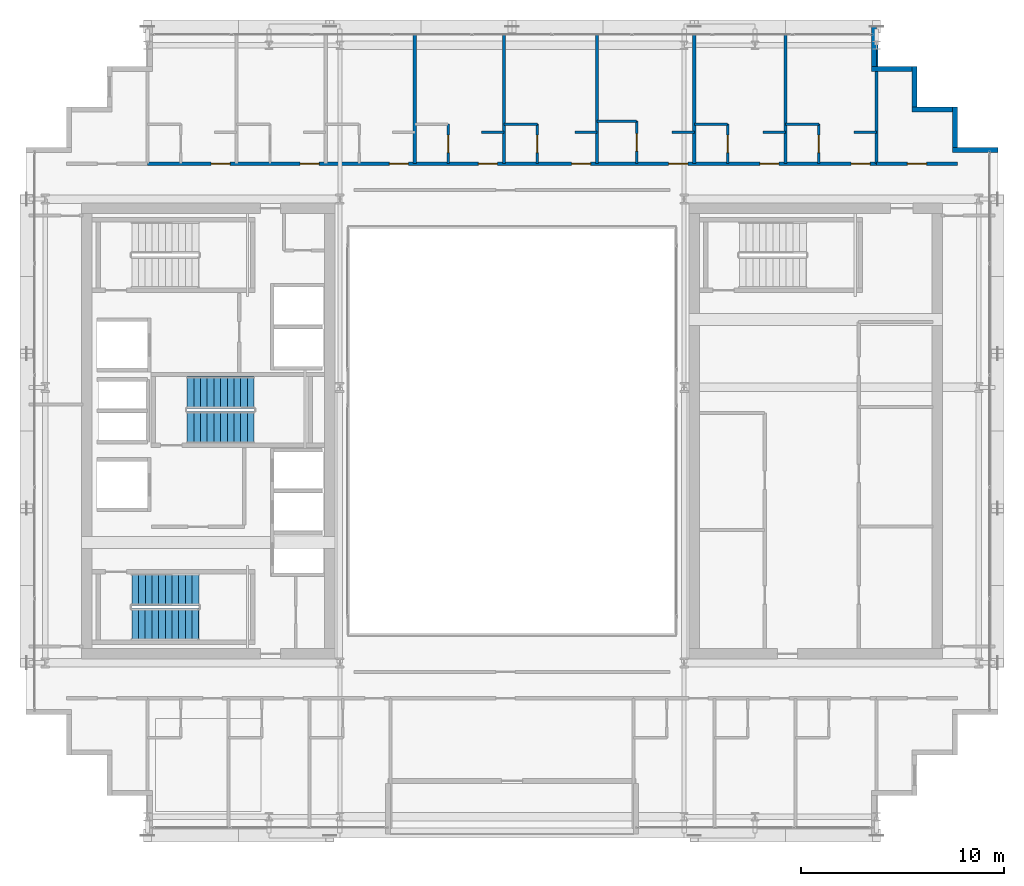
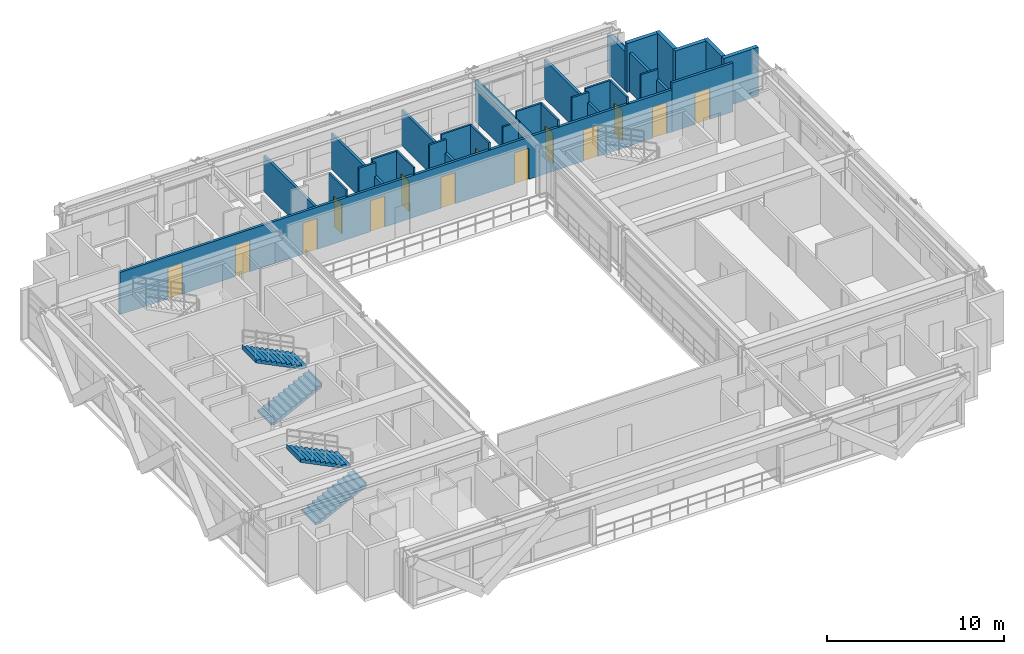
# One storey, part 33 of 38: 28 walls, 14 doors, 4 stair flights, 14 openings, 2 elements without a shape of their own.
"""IFC4 building model written with IfcOpenShell, lengths in metres."""

from ifc_helpers import new_model, si_unit, direction, frame, frame_2d, origin, place, context, subcontext, project, spatial, polyline, rectangle, outline, extrude, source, transform, mapped, material, layer, layer_set, type_object, element, fill, aggregate, save


model = new_model("IFC4")

# Units and contexts
model_context = context("Model", 3, precision=1e-05, world=origin(), true_north=direction((0.0, 1.0)))
body_context = subcontext(model_context, "Body", "Model", "MODEL_VIEW")
ifc_project = project(units=[si_unit("LENGTHUNIT", "METRE"), si_unit("AREAUNIT", "SQUARE_METRE"), si_unit("VOLUMEUNIT", "CUBIC_METRE"), si_unit("PLANEANGLEUNIT", "RADIAN"), si_unit("MASSUNIT", "GRAM", prefix="KILO")], contexts=[model_context])

# Site, building, storey
site_placement = place(None, origin())
site = spatial("IfcSite", under=ifc_project, at=site_placement, CompositionType="ELEMENT")
building_placement = place(site_placement, origin())
building = spatial("IfcBuilding", under=site, at=building_placement, Name="Ocotamira Hotel", CompositionType="ELEMENT")
storey_placement = place(building_placement, frame((0.0, 0.0, 170.39990234375)))
storey = spatial("IfcBuildingStorey", under=building, at=storey_placement, Name="L42", CompositionType="ELEMENT", Elevation=170.39990234375)

# Walls
ifc_material_1 = material(Name="Precast concrete C45/55", Category="concrete")
ifc_layer_1 = layer(ifc_material_1, 0.25)
ifc_layer_set_1 = layer_set([ifc_layer_1], Name="Precast concrete C45/55")
wall_type_1 = type_object("IfcWallType", Name="WL-EXT-SER-250", PredefinedType="SOLIDWALL", material=ifc_layer_set_1)
wall_1_placement = place(storey_placement, frame((56.0, 39.875, 0.0), z_axis=(0.0, 0.0, 1.0), x_axis=(-1.0, 0.0, 0.0)))
element("IfcWall", 1, at=wall_1_placement, inside=storey, type_object=wall_type_1, Name="L42 Serrated Corner Wall 07", PredefinedType="SOLIDWALL", context=body_context, shape_type="SweptSolid", body=[
    extrude(rectangle(XDim=2.25, YDim=0.25, at=frame_2d((1.125, 0.0))), origin(), (0.0, 0.0, 1.0), 3.3701171875),
])
for number, where, z_axis, x_axis, name in (
    (2, (53.875, 40.0, 0.0), (0.0, 0.0, 1.0), (0.0, 1.0, 0.0), "L42 Serrated Corner Wall 08"),
    (3, (53.75, 41.875, 0.0), (0.0, 0.0, 1.0), (-1.0, 0.0, 0.0), "L42 Serrated Corner Wall 09"),
    (4, (51.875, 42.0, 0.0), (0.0, 0.0, 1.0), (0.0, 1.0, 0.0), "L42 Serrated Corner Wall 10"),
    (5, (51.75, 43.875, 0.0), (0.0, 0.0, 1.0), (-1.0, 0.0, 0.0), "L42 Serrated Corner Wall 11"),
):
    element("IfcWall", number, at=place(storey_placement, frame(where, z_axis=z_axis, x_axis=x_axis)), inside=storey, type_object=wall_type_1, Name=name, PredefinedType="SOLIDWALL", context=body_context, shape_type="SweptSolid", body=[
        extrude(rectangle(XDim=2.0, YDim=0.25, at=frame_2d((1.0, 0.0))), origin(), (0.0, 0.0, 1.0), 3.3701171875),
    ])
wall_2_placement = place(storey_placement, frame((49.875, 44.0, 0.0), z_axis=(0.0, 0.0, 1.0), x_axis=(0.0, 1.0, 0.0)))
element("IfcWall", 6, at=wall_2_placement, inside=storey, type_object=wall_type_1, Name="L42 Serrated Corner Wall 12", PredefinedType="SOLIDWALL", context=body_context, shape_type="SweptSolid", body=[
    extrude(rectangle(XDim=2.0, YDim=0.25, at=frame_2d((1.0, 0.0))), origin(), (0.0, 0.0, 1.0), 2.677001953125),
])

# Wall, opening, door
ifc_material_2 = material(Name="Acoustic double-layer fire gypsum board partition", Category="gypsum")
ifc_layer_2 = layer(ifc_material_2, 0.159912109375)
ifc_layer_set_2 = layer_set([ifc_layer_2], Name="Acoustic double-layer fire gypsum board partition")
wall_type_2 = type_object("IfcWallType", Name="WL-FIRE-160", PredefinedType="PARTITIONING", material=ifc_layer_set_2)
wall_3_placement = place(storey_placement, frame((50.0, 39.199951171875, 0.0), z_axis=(0.0, 0.0, 1.0), x_axis=(1.0, 0.0, 0.0)))
wall_3 = element("IfcWall", 7, at=wall_3_placement, inside=storey, type_object=wall_type_2, Name="L42 Interior Wall PW-L42-Z3A-CNE-CW", PredefinedType="PARTITIONING", context=body_context, shape_type="SweptSolid", body=[
    extrude(rectangle(XDim=4.0, YDim=0.159912109375, at=frame_2d((2.0, 0.0))), origin(), (0.0, 0.0, 1.0), 3.3701171875),
])
opening_1_placement = place(wall_3_placement, frame((1.52001953125, 0.0, 0.0)))
opening_1 = element("IfcOpeningElement", 8, at=opening_1_placement, cuts=wall_3, Name="Opening D-SV4", PredefinedType="OPENING", context=body_context, shape_type="SweptSolid", body=[
    extrude(rectangle(XDim=0.9599609375, YDim=2.14990234375, at=frame_2d((0.47998046875, 1.074951171875))), frame((0.0, 0.08984375, 0.0), z_axis=(0.0, -1.0, 0.0), x_axis=(1.0, 0.0, 0.0)), (0.0, 0.0, 1.0), 0.179931640625),
])
ifc_material_3 = material(Name="Fire-rated accessible walnut salon door", Category="wood")
door_type_1 = type_object("IfcDoorType", Name="DR-SERV-960", OperationType="NOTDEFINED", PredefinedType="DOOR", material=ifc_material_3)
shared_shape_1 = source(origin(), body_context, "Body", "SweptSolid", [
    extrude(rectangle(XDim=0.9599609375, YDim=2.14990234375, at=frame_2d((0.47998046875, 1.074951171875))), frame((0.0, 0.02490234375, 0.0), z_axis=(0.0, -1.0, 0.0), x_axis=(1.0, 0.0, 0.0)), (0.0, 0.0, 1.0), 0.050048828125),
])
door_1_placement = place(opening_1_placement, origin())
door_1 = element("IfcDoor", 9, at=door_1_placement, inside=storey, type_object=door_type_1, Name="L42 Door ID-L42-Z3A-CNE-CD [ID-L42-Z3A-CNE-CD]", OperationType="SINGLE_SWING_LEFT", OverallHeight=2.14990234375, OverallWidth=0.9599609375, PredefinedType="DOOR", context=body_context, shape_type="MappedRepresentation", body=[
    mapped(shared_shape_1, transform((0.0, 0.0, 0.0), scale=1.0)),
])
fill(opening_1, door_1)

# Wall, openings, doors
wall_4_placement = place(storey_placement, frame((14.0, 39.199951171875, 0.0), z_axis=(0.0, 0.0, 1.0), x_axis=(1.0, 0.0, 0.0)))
wall_4 = element("IfcWall", 10, at=wall_4_placement, inside=storey, type_object=wall_type_2, Name="L42 Interior Wall PW-L42-Z3AN-CORRW", PredefinedType="PARTITIONING", context=body_context, shape_type="SweptSolid", body=[
    extrude(rectangle(XDim=36.0, YDim=0.159912109375, at=frame_2d((18.0, 0.0))), origin(), (0.0, 0.0, 1.0), 2.9130859375),
])
opening_2_placement = place(wall_4_placement, frame((3.139892578125, 0.0, 0.0)))
opening_2 = element("IfcOpeningElement", 11, at=opening_2_placement, cuts=wall_4, Name="Opening D-GR1", PredefinedType="OPENING", context=body_context, shape_type="SweptSolid", body=[
    extrude(rectangle(XDim=0.93994140625, YDim=2.14990234375, at=frame_2d((0.469970703125, 1.074951171875))), frame((0.0, 0.08984375, 0.0), z_axis=(0.0, -1.0, 0.0), x_axis=(1.0, 0.0, 0.0)), (0.0, 0.0, 1.0), 0.179931640625),
])
opening_3_placement = place(wall_4_placement, frame((7.5400390625, 0.0, 0.0)))
opening_3 = element("IfcOpeningElement", 12, at=opening_3_placement, cuts=wall_4, Name="Opening D-GR1", PredefinedType="OPENING", context=body_context, shape_type="SweptSolid", body=[
    extrude(rectangle(XDim=0.93994140625, YDim=2.14990234375, at=frame_2d((0.469970703125, 1.074951171875))), frame((0.0, 0.08984375, 0.0), z_axis=(0.0, -1.0, 0.0), x_axis=(1.0, 0.0, 0.0)), (0.0, 0.0, 1.0), 0.179931640625),
])
opening_4_placement = place(wall_4_placement, frame((11.93994140625, 0.0, 0.0)))
opening_4 = element("IfcOpeningElement", 13, at=opening_4_placement, cuts=wall_4, Name="Opening D-GR1", PredefinedType="OPENING", context=body_context, shape_type="SweptSolid", body=[
    extrude(rectangle(XDim=0.93994140625, YDim=2.14990234375, at=frame_2d((0.469970703125, 1.074951171875))), frame((0.0, 0.08984375, 0.0), z_axis=(0.0, -1.0, 0.0), x_axis=(1.0, 0.0, 0.0)), (0.0, 0.0, 1.0), 0.179931640625),
])
opening_5_placement = place(wall_4_placement, frame((16.340087890625, 0.0, 0.0)))
opening_5 = element("IfcOpeningElement", 14, at=opening_5_placement, cuts=wall_4, Name="Opening D-GR1", PredefinedType="OPENING", context=body_context, shape_type="SweptSolid", body=[
    extrude(rectangle(XDim=0.93994140625, YDim=2.14990234375, at=frame_2d((0.469970703125, 1.074951171875))), frame((0.0, 0.08984375, 0.0), z_axis=(0.0, -1.0, 0.0), x_axis=(1.0, 0.0, 0.0)), (0.0, 0.0, 1.0), 0.179931640625),
])
opening_6_placement = place(wall_4_placement, frame((20.93994140625, 0.0, 0.0)))
opening_6 = element("IfcOpeningElement", 15, at=opening_6_placement, cuts=wall_4, Name="Opening D-GR1", PredefinedType="OPENING", context=body_context, shape_type="SweptSolid", body=[
    extrude(rectangle(XDim=0.93994140625, YDim=2.14990234375, at=frame_2d((0.469970703125, 1.074951171875))), frame((0.0, 0.08984375, 0.0), z_axis=(0.0, -1.0, 0.0), x_axis=(1.0, 0.0, 0.0)), (0.0, 0.0, 1.0), 0.179931640625),
])
opening_7_placement = place(wall_4_placement, frame((25.739990234375, 0.0, 0.0)))
opening_7 = element("IfcOpeningElement", 16, at=opening_7_placement, cuts=wall_4, Name="Opening D-GR1", PredefinedType="OPENING", context=body_context, shape_type="SweptSolid", body=[
    extrude(rectangle(XDim=0.93994140625, YDim=2.14990234375, at=frame_2d((0.469970703125, 1.074951171875))), frame((0.0, 0.08984375, 0.0), z_axis=(0.0, -1.0, 0.0), x_axis=(1.0, 0.0, 0.0)), (0.0, 0.0, 1.0), 0.179931640625),
])
opening_8_placement = place(wall_4_placement, frame((30.239990234375, 0.0, 0.0)))
opening_8 = element("IfcOpeningElement", 17, at=opening_8_placement, cuts=wall_4, Name="Opening D-GR1", PredefinedType="OPENING", context=body_context, shape_type="SweptSolid", body=[
    extrude(rectangle(XDim=0.93994140625, YDim=2.14990234375, at=frame_2d((0.469970703125, 1.074951171875))), frame((0.0, 0.08984375, 0.0), z_axis=(0.0, -1.0, 0.0), x_axis=(1.0, 0.0, 0.0)), (0.0, 0.0, 1.0), 0.179931640625),
])
opening_9_placement = place(wall_4_placement, frame((34.739990234375, 0.0, 0.0)))
opening_9 = element("IfcOpeningElement", 18, at=opening_9_placement, cuts=wall_4, Name="Opening D-GR1", PredefinedType="OPENING", context=body_context, shape_type="SweptSolid", body=[
    extrude(rectangle(XDim=0.93994140625, YDim=2.14990234375, at=frame_2d((0.469970703125, 1.074951171875))), frame((0.0, 0.08984375, 0.0), z_axis=(0.0, -1.0, 0.0), x_axis=(1.0, 0.0, 0.0)), (0.0, 0.0, 1.0), 0.179931640625),
])
ifc_material_4 = material(Name="Solid-core walnut suite entrance fire door", Category="wood")
door_type_2 = type_object("IfcDoorType", Name="DR-GUEST-940", OperationType="NOTDEFINED", PredefinedType="DOOR", material=ifc_material_4)
shared_shape_2 = source(origin(), body_context, "Body", "SweptSolid", [
    extrude(rectangle(XDim=0.93994140625, YDim=2.14990234375, at=frame_2d((0.469970703125, 1.074951171875))), frame((0.0, 0.02490234375, 0.0), z_axis=(0.0, -1.0, 0.0), x_axis=(1.0, 0.0, 0.0)), (0.0, 0.0, 1.0), 0.050048828125),
])
door_2_placement = place(opening_2_placement, origin())
door_2 = element("IfcDoor", 19, at=door_2_placement, inside=storey, type_object=door_type_2, Name="L42 Door ID-L42-Z3AN-RMD1 [ID-L42-Z3AN-RMD1]", OperationType="SINGLE_SWING_LEFT", OverallHeight=2.14990234375, OverallWidth=0.93994140625, PredefinedType="DOOR", context=body_context, shape_type="MappedRepresentation", body=[
    mapped(shared_shape_2, transform((0.0, 0.0, 0.0), scale=1.0)),
])
fill(opening_2, door_2)
door_3_placement = place(opening_3_placement, origin())
door_3 = element("IfcDoor", 20, at=door_3_placement, inside=storey, type_object=door_type_2, Name="L42 Door ID-L42-Z3AN-RMD2 [ID-L42-Z3AN-RMD2]", OperationType="SINGLE_SWING_RIGHT", OverallHeight=2.14990234375, OverallWidth=0.93994140625, PredefinedType="DOOR", context=body_context, shape_type="MappedRepresentation", body=[
    mapped(shared_shape_2, transform((0.0, 0.0, 0.0), scale=1.0)),
])
fill(opening_3, door_3)
door_4_placement = place(opening_4_placement, origin())
door_4 = element("IfcDoor", 21, at=door_4_placement, inside=storey, type_object=door_type_2, Name="L42 Door ID-L42-Z3AN-RMD3 [ID-L42-Z3AN-RMD3]", OperationType="SINGLE_SWING_LEFT", OverallHeight=2.14990234375, OverallWidth=0.93994140625, PredefinedType="DOOR", context=body_context, shape_type="MappedRepresentation", body=[
    mapped(shared_shape_2, transform((0.0, 0.0, 0.0), scale=1.0)),
])
fill(opening_4, door_4)
door_5_placement = place(opening_5_placement, origin())
door_5 = element("IfcDoor", 22, at=door_5_placement, inside=storey, type_object=door_type_2, Name="L42 Door ID-L42-Z3AN-RMD4 [ID-L42-Z3AN-RMD4]", OperationType="SINGLE_SWING_RIGHT", OverallHeight=2.14990234375, OverallWidth=0.93994140625, PredefinedType="DOOR", context=body_context, shape_type="MappedRepresentation", body=[
    mapped(shared_shape_2, transform((0.0, 0.0, 0.0), scale=1.0)),
])
fill(opening_5, door_5)
door_6_placement = place(opening_6_placement, origin())
door_6 = element("IfcDoor", 23, at=door_6_placement, inside=storey, type_object=door_type_2, Name="L42 Door ID-L42-Z3AN-RMD5 [ID-L42-Z3AN-RMD5]", OperationType="SINGLE_SWING_LEFT", OverallHeight=2.14990234375, OverallWidth=0.93994140625, PredefinedType="DOOR", context=body_context, shape_type="MappedRepresentation", body=[
    mapped(shared_shape_2, transform((0.0, 0.0, 0.0), scale=1.0)),
])
fill(opening_6, door_6)
door_7_placement = place(opening_7_placement, origin())
door_7 = element("IfcDoor", 24, at=door_7_placement, inside=storey, type_object=door_type_2, Name="L42 Door ID-L42-Z3AN-RMD6 [ID-L42-Z3AN-RMD6]", OperationType="SINGLE_SWING_RIGHT", OverallHeight=2.14990234375, OverallWidth=0.93994140625, PredefinedType="DOOR", context=body_context, shape_type="MappedRepresentation", body=[
    mapped(shared_shape_2, transform((0.0, 0.0, 0.0), scale=1.0)),
])
fill(opening_7, door_7)
door_8_placement = place(opening_8_placement, origin())
door_8 = element("IfcDoor", 25, at=door_8_placement, inside=storey, type_object=door_type_2, Name="L42 Door ID-L42-Z3AN-RMD7 [ID-L42-Z3AN-RMD7]", OperationType="SINGLE_SWING_LEFT", OverallHeight=2.14990234375, OverallWidth=0.93994140625, PredefinedType="DOOR", context=body_context, shape_type="MappedRepresentation", body=[
    mapped(shared_shape_2, transform((0.0, 0.0, 0.0), scale=1.0)),
])
fill(opening_8, door_8)
door_9_placement = place(opening_9_placement, origin())
door_9 = element("IfcDoor", 26, at=door_9_placement, inside=storey, type_object=door_type_2, Name="L42 Door ID-L42-Z3AN-RMD8 [ID-L42-Z3AN-RMD8]", OperationType="SINGLE_SWING_RIGHT", OverallHeight=2.14990234375, OverallWidth=0.93994140625, PredefinedType="DOOR", context=body_context, shape_type="MappedRepresentation", body=[
    mapped(shared_shape_2, transform((0.0, 0.0, 0.0), scale=1.0)),
])
fill(opening_9, door_9)

# Wall, opening, door
ifc_material_5 = material(Name="Moisture-resistant en-suite tile and gypsum partition", Category="gypsum")
ifc_layer_3 = layer(ifc_material_5, 0.1201171875)
ifc_layer_set_3 = layer_set([ifc_layer_3], Name="Moisture-resistant en-suite tile and gypsum partition")
wall_type_3 = type_object("IfcWallType", Name="WL-PART-120", PredefinedType="PARTITIONING", material=ifc_layer_set_3)
wall_5_placement = place(storey_placement, frame((28.85009765625, 39.199951171875, 0.0), z_axis=(0.0, 0.0, 1.0), x_axis=(0.0, 1.0, 0.0)))
wall_5 = element("IfcWall", 27, at=wall_5_placement, inside=storey, type_object=wall_type_3, Name="L42 Interior Wall PW-L42-Z3AN-BAE4", PredefinedType="PARTITIONING", context=body_context, shape_type="SweptSolid", body=[
    extrude(rectangle(XDim=1.949951171875, YDim=0.1201171875, at=frame_2d((0.97509765625, 0.0))), origin(), (0.0, 0.0, 1.0), 3.3701171875),
])
opening_10_placement = place(wall_5_placement, frame((0.544921875, 0.0, 0.0)))
opening_10 = element("IfcOpeningElement", 28, at=opening_10_placement, cuts=wall_5, Name="Opening D-BA1", PredefinedType="OPENING", context=body_context, shape_type="SweptSolid", body=[
    extrude(rectangle(XDim=0.860107421875, YDim=2.10009765625, at=frame_2d((0.43017578125, 1.050048828125))), frame((0.0, 0.070068359375, 0.0), z_axis=(0.0, -1.0, 0.0), x_axis=(1.0, 0.0, 0.0)), (0.0, 0.0, 1.0), 0.14013671875),
])
ifc_material_6 = material(Name="Moisture-sealed en-suite timber door", Category="wood")
door_type_3 = type_object("IfcDoorType", Name="DR-BATH-860", OperationType="NOTDEFINED", PredefinedType="DOOR", material=ifc_material_6)
shared_shape_3 = source(origin(), body_context, "Body", "SweptSolid", [
    extrude(rectangle(XDim=0.860107421875, YDim=2.10009765625, at=frame_2d((0.43017578125, 1.050048828125))), frame((0.0, 0.02490234375, 0.0), z_axis=(0.0, -1.0, 0.0), x_axis=(1.0, 0.0, 0.0)), (0.0, 0.0, 1.0), 0.050048828125),
])
door_10_placement = place(opening_10_placement, origin())
door_10 = element("IfcDoor", 29, at=door_10_placement, inside=storey, type_object=door_type_3, Name="L42 Door ID-L42-Z3AN-BAD4 [ID-L42-Z3AN-BAD4]", OperationType="SINGLE_SWING_LEFT", OverallHeight=2.10009765625, OverallWidth=0.860107421875, PredefinedType="DOOR", context=body_context, shape_type="MappedRepresentation", body=[
    mapped(shared_shape_3, transform((0.0, 0.0, 0.0), scale=1.0)),
])
fill(opening_10, door_10)

# Wall
wall_6_placement = place(storey_placement, frame((30.5, 40.75, 0.0), z_axis=(0.0, 0.0, 1.0), x_axis=(1.0, 0.0, 0.0)))
element("IfcWall", 30, at=wall_6_placement, inside=storey, type_object=wall_type_3, Name="L42 Interior Wall PW-L42-Z3AN-DRN4", PredefinedType="PARTITIONING", context=body_context, shape_type="SweptSolid", body=[
    extrude(rectangle(XDim=1.10009765625, YDim=0.1201171875, at=frame_2d((0.550048828125, 0.0))), origin(), (0.0, 0.0, 1.0), 3.3701171875),
])

# Wall, opening, door
wall_7_placement = place(storey_placement, frame((33.25, 39.199951171875, 0.0), z_axis=(0.0, 0.0, 1.0), x_axis=(0.0, 1.0, 0.0)))
wall_7 = element("IfcWall", 31, at=wall_7_placement, inside=storey, type_object=wall_type_3, Name="L42 Interior Wall PW-L42-Z3AN-BAE5", PredefinedType="PARTITIONING", context=body_context, shape_type="SweptSolid", body=[
    extrude(rectangle(XDim=1.949951171875, YDim=0.1201171875, at=frame_2d((0.97509765625, 0.0))), origin(), (0.0, 0.0, 1.0), 3.3701171875),
])
opening_11_placement = place(wall_7_placement, frame((0.544921875, 0.0, 0.0)))
opening_11 = element("IfcOpeningElement", 32, at=opening_11_placement, cuts=wall_7, Name="Opening D-BA1", PredefinedType="OPENING", context=body_context, shape_type="SweptSolid", body=[
    extrude(rectangle(XDim=0.860107421875, YDim=2.10009765625, at=frame_2d((0.43017578125, 1.050048828125))), frame((0.0, 0.070068359375, 0.0), z_axis=(0.0, -1.0, 0.0), x_axis=(1.0, 0.0, 0.0)), (0.0, 0.0, 1.0), 0.14013671875),
])
door_11_placement = place(opening_11_placement, origin())
door_11 = element("IfcDoor", 33, at=door_11_placement, inside=storey, type_object=door_type_3, Name="L42 Door ID-L42-Z3AN-BAD5 [ID-L42-Z3AN-BAD5]", OperationType="SINGLE_SWING_RIGHT", OverallHeight=2.10009765625, OverallWidth=0.860107421875, PredefinedType="DOOR", context=body_context, shape_type="MappedRepresentation", body=[
    mapped(shared_shape_3, transform((0.0, 0.0, 0.0), scale=1.0)),
])
fill(opening_11, door_11)

# Walls
wall_8_placement = place(storey_placement, frame((31.60009765625, 41.14990234375, 0.0), z_axis=(0.0, 0.0, 1.0), x_axis=(1.0, 0.0, 0.0)))
element("IfcWall", 34, at=wall_8_placement, inside=storey, type_object=wall_type_3, Name="L42 Interior Wall PW-L42-Z3AN-BAN5", PredefinedType="PARTITIONING", context=body_context, shape_type="SweptSolid", body=[
    extrude(rectangle(XDim=1.64990234375, YDim=0.1201171875, at=frame_2d((0.824951171875, 0.0))), origin(), (0.0, 0.0, 1.0), 3.3701171875),
])
wall_9_placement = place(storey_placement, frame((35.10009765625, 40.75, 0.0), z_axis=(0.0, 0.0, 1.0), x_axis=(1.0, 0.0, 0.0)))
element("IfcWall", 35, at=wall_9_placement, inside=storey, type_object=wall_type_3, Name="L42 Interior Wall PW-L42-Z3AN-DRN5", PredefinedType="PARTITIONING", context=body_context, shape_type="SweptSolid", body=[
    extrude(rectangle(XDim=1.099853515625, YDim=0.1201171875, at=frame_2d((0.5498046875, 0.0))), origin(), (0.0, 0.0, 1.0), 3.3701171875),
])

# Wall, opening, door
wall_10_placement = place(storey_placement, frame((38.14990234375, 39.199951171875, 0.0), z_axis=(0.0, 0.0, 1.0), x_axis=(0.0, 1.0, 0.0)))
wall_10 = element("IfcWall", 36, at=wall_10_placement, inside=storey, type_object=wall_type_3, Name="L42 Interior Wall PW-L42-Z3AN-BAE6", PredefinedType="PARTITIONING", context=body_context, shape_type="SweptSolid", body=[
    extrude(rectangle(XDim=2.10009765625, YDim=0.1201171875, at=frame_2d((1.050048828125, 0.0))), origin(), (0.0, 0.0, 1.0), 3.3701171875),
])
opening_12_placement = place(wall_10_placement, frame((0.6201171875, 0.0, 0.0)))
opening_12 = element("IfcOpeningElement", 37, at=opening_12_placement, cuts=wall_10, Name="Opening D-BA1", PredefinedType="OPENING", context=body_context, shape_type="SweptSolid", body=[
    extrude(rectangle(XDim=0.860107421875, YDim=2.10009765625, at=frame_2d((0.43017578125, 1.050048828125))), frame((0.0, 0.070068359375, 0.0), z_axis=(0.0, -1.0, 0.0), x_axis=(1.0, 0.0, 0.0)), (0.0, 0.0, 1.0), 0.14013671875),
])
door_12_placement = place(opening_12_placement, origin())
door_12 = element("IfcDoor", 38, at=door_12_placement, inside=storey, type_object=door_type_3, Name="L42 Door ID-L42-Z3AN-BAD6 [ID-L42-Z3AN-BAD6]", OperationType="SINGLE_SWING_LEFT", OverallHeight=2.10009765625, OverallWidth=0.860107421875, PredefinedType="DOOR", context=body_context, shape_type="MappedRepresentation", body=[
    mapped(shared_shape_3, transform((0.0, 0.0, 0.0), scale=1.0)),
])
fill(opening_12, door_12)

# Walls
wall_11_placement = place(storey_placement, frame((36.199951171875, 41.300048828125, 0.0), z_axis=(0.0, 0.0, 1.0), x_axis=(1.0, 0.0, 0.0)))
element("IfcWall", 39, at=wall_11_placement, inside=storey, type_object=wall_type_3, Name="L42 Interior Wall PW-L42-Z3AN-BAN6", PredefinedType="PARTITIONING", context=body_context, shape_type="SweptSolid", body=[
    extrude(rectangle(XDim=1.949951171875, YDim=0.1201171875, at=frame_2d((0.97509765625, 0.0))), origin(), (0.0, 0.0, 1.0), 3.3701171875),
])
wall_12_placement = place(storey_placement, frame((39.89990234375, 40.75, 0.0), z_axis=(0.0, 0.0, 1.0), x_axis=(1.0, 0.0, 0.0)))
element("IfcWall", 40, at=wall_12_placement, inside=storey, type_object=wall_type_3, Name="L42 Interior Wall PW-L42-Z3AN-DRN6", PredefinedType="PARTITIONING", context=body_context, shape_type="SweptSolid", body=[
    extrude(rectangle(XDim=1.10009765625, YDim=0.1201171875, at=frame_2d((0.550048828125, 0.0))), origin(), (0.0, 0.0, 1.0), 2.9130859375),
])

# Wall, opening, door
wall_13_placement = place(storey_placement, frame((42.64990234375, 39.199951171875, 0.0), z_axis=(0.0, 0.0, 1.0), x_axis=(0.0, 1.0, 0.0)))
wall_13 = element("IfcWall", 41, at=wall_13_placement, inside=storey, type_object=wall_type_3, Name="L42 Interior Wall PW-L42-Z3AN-BAE7", PredefinedType="PARTITIONING", context=body_context, shape_type="SweptSolid", body=[
    extrude(rectangle(XDim=1.949951171875, YDim=0.1201171875, at=frame_2d((0.97509765625, 0.0))), origin(), (0.0, 0.0, 1.0), 3.3701171875),
])
opening_13_placement = place(wall_13_placement, frame((0.544921875, 0.0, 0.0)))
opening_13 = element("IfcOpeningElement", 42, at=opening_13_placement, cuts=wall_13, Name="Opening D-BA1", PredefinedType="OPENING", context=body_context, shape_type="SweptSolid", body=[
    extrude(rectangle(XDim=0.860107421875, YDim=2.10009765625, at=frame_2d((0.43017578125, 1.050048828125))), frame((0.0, 0.070068359375, 0.0), z_axis=(0.0, -1.0, 0.0), x_axis=(1.0, 0.0, 0.0)), (0.0, 0.0, 1.0), 0.14013671875),
])
door_13_placement = place(opening_13_placement, origin())
door_13 = element("IfcDoor", 43, at=door_13_placement, inside=storey, type_object=door_type_3, Name="L42 Door ID-L42-Z3AN-BAD7 [ID-L42-Z3AN-BAD7]", OperationType="SINGLE_SWING_RIGHT", OverallHeight=2.10009765625, OverallWidth=0.860107421875, PredefinedType="DOOR", context=body_context, shape_type="MappedRepresentation", body=[
    mapped(shared_shape_3, transform((0.0, 0.0, 0.0), scale=1.0)),
])
fill(opening_13, door_13)

# Walls
wall_14_placement = place(storey_placement, frame((41.0, 41.14990234375, 0.0), z_axis=(0.0, 0.0, 1.0), x_axis=(1.0, 0.0, 0.0)))
element("IfcWall", 44, at=wall_14_placement, inside=storey, type_object=wall_type_3, Name="L42 Interior Wall PW-L42-Z3AN-BAN7", PredefinedType="PARTITIONING", context=body_context, shape_type="SweptSolid", body=[
    extrude(rectangle(XDim=1.64990234375, YDim=0.1201171875, at=frame_2d((0.824951171875, 0.0))), origin(), (0.0, 0.0, 1.0), 3.3701171875),
])
wall_15_placement = place(storey_placement, frame((44.39990234375, 40.75, 0.0), z_axis=(0.0, 0.0, 1.0), x_axis=(1.0, 0.0, 0.0)))
element("IfcWall", 45, at=wall_15_placement, inside=storey, type_object=wall_type_3, Name="L42 Interior Wall PW-L42-Z3AN-DRN7", PredefinedType="PARTITIONING", context=body_context, shape_type="SweptSolid", body=[
    extrude(rectangle(XDim=1.10009765625, YDim=0.1201171875, at=frame_2d((0.550048828125, 0.0))), origin(), (0.0, 0.0, 1.0), 3.3701171875),
])

# Wall, opening, door
wall_16_placement = place(storey_placement, frame((47.14990234375, 39.199951171875, 0.0), z_axis=(0.0, 0.0, 1.0), x_axis=(0.0, 1.0, 0.0)))
wall_16 = element("IfcWall", 46, at=wall_16_placement, inside=storey, type_object=wall_type_3, Name="L42 Interior Wall PW-L42-Z3AN-BAE8", PredefinedType="PARTITIONING", context=body_context, shape_type="SweptSolid", body=[
    extrude(rectangle(XDim=1.949951171875, YDim=0.1201171875, at=frame_2d((0.97509765625, 0.0))), origin(), (0.0, 0.0, 1.0), 3.3701171875),
])
opening_14_placement = place(wall_16_placement, frame((0.544921875, 0.0, 0.0)))
opening_14 = element("IfcOpeningElement", 47, at=opening_14_placement, cuts=wall_16, Name="Opening D-BA1", PredefinedType="OPENING", context=body_context, shape_type="SweptSolid", body=[
    extrude(rectangle(XDim=0.860107421875, YDim=2.10009765625, at=frame_2d((0.43017578125, 1.050048828125))), frame((0.0, 0.070068359375, 0.0), z_axis=(0.0, -1.0, 0.0), x_axis=(1.0, 0.0, 0.0)), (0.0, 0.0, 1.0), 0.14013671875),
])
door_14_placement = place(opening_14_placement, origin())
door_14 = element("IfcDoor", 48, at=door_14_placement, inside=storey, type_object=door_type_3, Name="L42 Door ID-L42-Z3AN-BAD8 [ID-L42-Z3AN-BAD8]", OperationType="SINGLE_SWING_LEFT", OverallHeight=2.10009765625, OverallWidth=0.860107421875, PredefinedType="DOOR", context=body_context, shape_type="MappedRepresentation", body=[
    mapped(shared_shape_3, transform((0.0, 0.0, 0.0), scale=1.0)),
])
fill(opening_14, door_14)

# Walls
wall_17_placement = place(storey_placement, frame((45.5, 41.14990234375, 0.0), z_axis=(0.0, 0.0, 1.0), x_axis=(1.0, 0.0, 0.0)))
element("IfcWall", 49, at=wall_17_placement, inside=storey, type_object=wall_type_3, Name="L42 Interior Wall PW-L42-Z3AN-BAN8", PredefinedType="PARTITIONING", context=body_context, shape_type="SweptSolid", body=[
    extrude(rectangle(XDim=1.64990234375, YDim=0.1201171875, at=frame_2d((0.824951171875, 0.0))), origin(), (0.0, 0.0, 1.0), 3.3701171875),
])
wall_18_placement = place(storey_placement, frame((48.89990234375, 40.75, 0.0), z_axis=(0.0, 0.0, 1.0), x_axis=(1.0, 0.0, 0.0)))
element("IfcWall", 50, at=wall_18_placement, inside=storey, type_object=wall_type_3, Name="L42 Interior Wall PW-L42-Z3AN-DRN8", PredefinedType="PARTITIONING", context=body_context, shape_type="SweptSolid", body=[
    extrude(rectangle(XDim=1.10009765625, YDim=0.1201171875, at=frame_2d((0.550048828125, 0.0))), origin(), (0.0, 0.0, 1.0), 3.3701171875),
])
ifc_material_7 = material(Name="Acoustic double-stud hospitality gypsum partition", Category="gypsum")
ifc_layer_4 = layer(ifc_material_7, 0.159912109375)
ifc_layer_set_4 = layer_set([ifc_layer_4], Name="Acoustic double-stud hospitality gypsum partition")
wall_type_4 = type_object("IfcWallType", Name="WL-PART-160", PredefinedType="PARTITIONING", material=ifc_layer_set_4)
wall_19_placement = place(storey_placement, frame((50.0, 39.199951171875, 0.0), z_axis=(0.0, 0.0, 1.0), x_axis=(0.0, 1.0, 0.0)))
element("IfcWall", 51, at=wall_19_placement, inside=storey, type_object=wall_type_4, Name="L42 Interior Wall PW-L42-Z3AN-PWEND", PredefinedType="PARTITIONING", context=body_context, shape_type="SweptSolid", body=[
    extrude(rectangle(XDim=6.43994140625, YDim=0.159912109375, at=frame_2d((3.219970703125, 0.0))), origin(), (0.0, 0.0, 1.0), 2.677001953125),
])
for number, where, z_axis, x_axis, name in (
    (52, (27.199951171875, 39.199951171875, 0.0), (0.0, 0.0, 1.0), (0.0, 1.0, 0.0), "L42 Interior Wall PW-L42-Z3AN-PW3"),
    (53, (31.60009765625, 39.199951171875, 0.0), (0.0, 0.0, 1.0), (0.0, 1.0, 0.0), "L42 Interior Wall PW-L42-Z3AN-PW4"),
    (54, (36.199951171875, 39.199951171875, 0.0), (0.0, 0.0, 1.0), (0.0, 1.0, 0.0), "L42 Interior Wall PW-L42-Z3AN-PW5"),
):
    element("IfcWall", number, at=place(storey_placement, frame(where, z_axis=z_axis, x_axis=x_axis)), inside=storey, type_object=wall_type_4, Name=name, PredefinedType="PARTITIONING", context=body_context, shape_type="SweptSolid", body=[
        extrude(rectangle(XDim=6.43994140625, YDim=0.159912109375, at=frame_2d((3.219970703125, 0.0))), origin(), (0.0, 0.0, 1.0), 2.443115234375),
    ])
wall_20_placement = place(storey_placement, frame((45.5, 39.199951171875, 0.0), z_axis=(0.0, 0.0, 1.0), x_axis=(0.0, 1.0, 0.0)))
element("IfcWall", 55, at=wall_20_placement, inside=storey, type_object=wall_type_4, Name="L42 Interior Wall PW-L42-Z3AN-PW7", PredefinedType="PARTITIONING", context=body_context, shape_type="SweptSolid", body=[
    extrude(rectangle(XDim=6.43994140625, YDim=0.159912109375, at=frame_2d((3.219970703125, 0.0))), origin(), (0.0, 0.0, 1.0), 2.677001953125),
])
ifc_material_8 = material(Name="Double-stud suite party gypsum partition", Category="gypsum")
ifc_layer_5 = layer(ifc_material_8, 0.175048828125)
ifc_layer_set_5 = layer_set([ifc_layer_5], Name="Double-stud suite party gypsum partition")
wall_type_5 = type_object("IfcWallType", Name="WL-PART-175", PredefinedType="PARTITIONING", material=ifc_layer_set_5)
wall_21_placement = place(storey_placement, frame((41.0, 39.199951171875, 0.0), z_axis=(0.0, 0.0, 1.0), x_axis=(0.0, 1.0, 0.0)))
element("IfcWall", 56, at=wall_21_placement, inside=storey, type_object=wall_type_5, Name="L42 Interior Wall PW-L42-Z3AN-PW6", PredefinedType="PARTITIONING", context=body_context, shape_type="SweptSolid", body=[
    extrude(rectangle(XDim=6.43994140625, YDim=0.175048828125, at=frame_2d((3.219970703125, 0.0))), origin(), (0.0, 0.0, 1.0), 2.8330078125),
])

# Stair, stair flights
ifc_material_9 = material(Name="Concrete C40/50", Category="concrete")
stair_type = type_object("IfcStairType", Name="ST-CORE-1560", PredefinedType="HALF_TURN_STAIR", material=ifc_material_9)
stair_1_placement = place(storey_placement, origin())
stair_1 = element("IfcStair", 57, at=stair_1_placement, inside=storey, type_object=stair_type, Name="L42 Exit Stair ST-1", PredefinedType="HALF_TURN_STAIR")
stair_flight_type = type_object("IfcStairFlightType", Name="STF-CORE-1560", PredefinedType="STRAIGHT", material=ifc_material_9)
shared_shape_4 = source(origin(), body_context, "Body", "SweptSolid", [
    extrude(outline(polyline([(-0.00390625, 0.0), (-0.00390625, 0.16357421875), (0.330078125, 0.16357421875), (0.330078125, 0.327392578125), (0.659912109375, 0.327392578125), (0.659912109375, 0.490966796875), (0.989990234375, 0.490966796875), (0.989990234375, 0.654541015625), (1.320068359375, 0.654541015625), (1.320068359375, 0.818115234375), (1.64990234375, 0.818115234375), (1.64990234375, 0.98193359375), (1.97998046875, 0.98193359375), (1.97998046875, 1.1455078125), (2.31005859375, 1.1455078125), (2.31005859375, 1.30908203125), (2.639892578125, 1.30908203125), (2.639892578125, 1.47265625), (2.969970703125, 1.47265625), (2.969970703125, 1.636474609375), (3.300048828125, 1.636474609375), (3.300048828125, 1.800048828125), (3.303955078125, 1.800048828125), (3.303955078125, 1.468994140625), (0.33740234375, 0.0), (-0.00390625, 0.0)])), frame((0.0, 0.780029296875, 0.0), z_axis=(0.0, -1.0, 0.0), x_axis=(1.0, 0.0, 0.0)), (0.0, 0.0, 1.0), 1.56005859375),
])
stair_flight_1_placement = place(storey_placement, frame((13.22998046875, 16.449951171875, 0.0), z_axis=(0.0, 0.0, 1.0), x_axis=(1.0, 0.0, 0.0)))
stair_flight_1 = element("IfcStairFlight", 58, at=stair_flight_1_placement, type_object=stair_flight_type, Name="ST-1 flight 1", NumberOfRisers=11, NumberOfTreads=10, PredefinedType="STRAIGHT", RiserHeight=0.163636364, TreadLength=0.33, context=body_context, shape_type="MappedRepresentation", body=[
    mapped(shared_shape_4, transform((0.0, 0.0, 0.0), scale=1.0)),
])
stair_flight_2_placement = place(storey_placement, frame((16.530029296875, 18.169921875, 1.800048828125), z_axis=(0.0, 0.0, 1.0), x_axis=(-1.0, 0.0, 0.0)))
stair_flight_2 = element("IfcStairFlight", 59, at=stair_flight_2_placement, type_object=stair_flight_type, Name="ST-1 flight 2", NumberOfRisers=11, NumberOfTreads=10, PredefinedType="STRAIGHT", RiserHeight=0.163636364, TreadLength=0.33, context=body_context, shape_type="MappedRepresentation", body=[
    mapped(shared_shape_4, transform((0.0, 0.0, 0.0), scale=1.0)),
])
aggregate(stair_1, [stair_flight_1, stair_flight_2])

stair_2_placement = place(storey_placement, origin())
stair_2 = element("IfcStair", 60, at=stair_2_placement, inside=storey, type_object=stair_type, Name="L42 Exit Stair ST-3", PredefinedType="HALF_TURN_STAIR")
stair_flight_3_placement = place(storey_placement, frame((15.9599609375, 26.179931640625, 0.0), z_axis=(0.0, 0.0, 1.0), x_axis=(1.0, 0.0, 0.0)))
stair_flight_3 = element("IfcStairFlight", 61, at=stair_flight_3_placement, type_object=stair_flight_type, Name="ST-3 flight 1", NumberOfRisers=11, NumberOfTreads=10, PredefinedType="STRAIGHT", RiserHeight=0.163636364, TreadLength=0.33, context=body_context, shape_type="MappedRepresentation", body=[
    mapped(shared_shape_4, transform((0.0, 0.0, 0.0), scale=1.0)),
])
stair_flight_4_placement = place(storey_placement, frame((19.260009765625, 27.89990234375, 1.800048828125), z_axis=(0.0, 0.0, 1.0), x_axis=(-1.0, 0.0, 0.0)))
stair_flight_4 = element("IfcStairFlight", 62, at=stair_flight_4_placement, type_object=stair_flight_type, Name="ST-3 flight 2", NumberOfRisers=11, NumberOfTreads=10, PredefinedType="STRAIGHT", RiserHeight=0.163636364, TreadLength=0.33, context=body_context, shape_type="MappedRepresentation", body=[
    mapped(shared_shape_4, transform((0.0, 0.0, 0.0), scale=1.0)),
])
aggregate(stair_2, [stair_flight_3, stair_flight_4])

save(model, "model.ifc")
